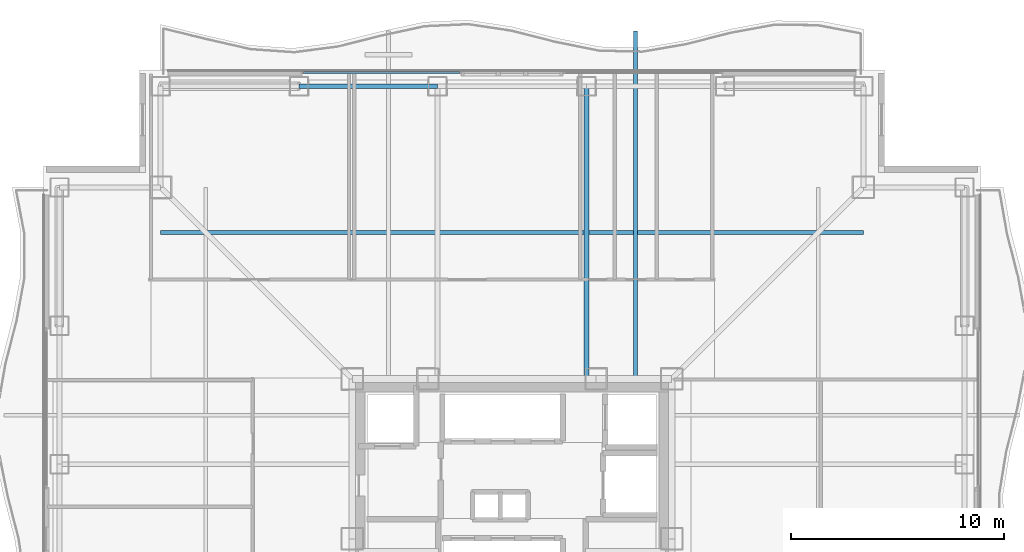
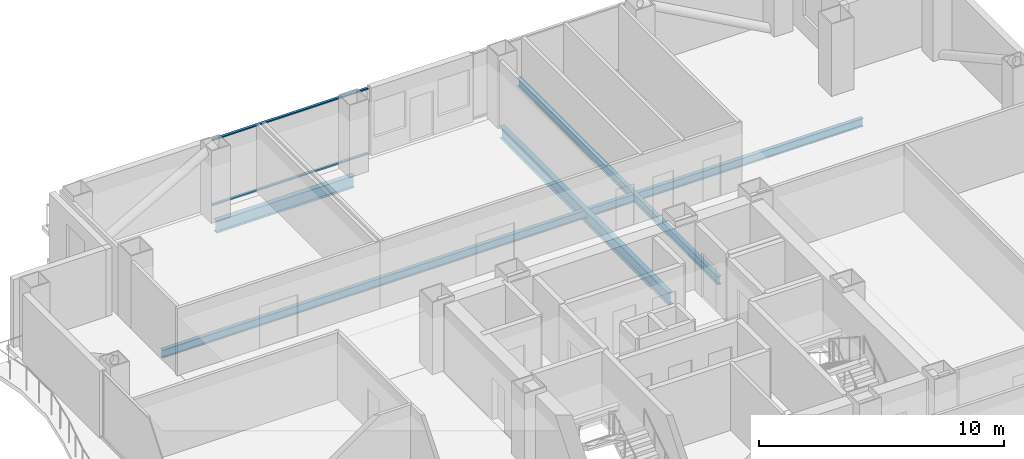
# One storey, part 9 of 18: 4 beams, 2 members, 1 element without a shape of its own.
"""IFC4 building model written with IfcOpenShell, lengths in metres."""

import ifcopenshell
import ifcopenshell.guid

model = None  # the IFC model being written
_history = None  # IfcOwnerHistory: only IFC2X3 demands one
_inside = {}  # id of a spatial element -> (the spatial element, [elements in it])
_under = {}  # id of a project, library or spatial element -> (it, [spatial elements below it])
_declared = {}  # id of a project -> (the project, [libraries it declares])
_typed = {}  # id of a type object -> (the type object, [elements of that type])
_made_of = {}  # id of a material, layer set ... -> (it, [elements and type objects made of it])


def new_model(schema):
    """Start an empty IFC model of exactly this schema.

    Asked for "IFC4X3", IfcOpenShell would pick the latest addendum, in which some entities
    have other attributes; the version numbers below select the first issue.
    IFC2X3 requires an IfcOwnerHistory on every rooted entity: one is made here for all.
    """
    global model, _history
    if schema == "IFC4X3":
        model = ifcopenshell.file(schema_version=(4, 3, 0, 0))
    else:
        model = ifcopenshell.file(schema=schema)
    _inside.clear()
    _under.clear()
    _declared.clear()
    _typed.clear()
    _made_of.clear()
    _history = None
    if model.schema == "IFC2X3":
        org = make("IfcOrganization", Name="unknown")
        user = make(
            "IfcPersonAndOrganization",
            ThePerson=make("IfcPerson", FamilyName="unknown"),
            TheOrganization=org,
        )
        app = make(
            "IfcApplication",
            ApplicationDeveloper=org,
            Version="unknown",
            ApplicationFullName="unknown",
            ApplicationIdentifier="unknown",
        )
        _history = make(
            "IfcOwnerHistory",
            OwningUser=user,
            OwningApplication=app,
            ChangeAction="ADDED",
            CreationDate=0,
        )
    return model


def make(cls, **values):
    """One entity of the class cls with the attributes given. An attribute that is None is left unset."""
    return model.create_entity(
        cls, **{name: value for name, value in values.items() if value is not None}
    )


def rooted(cls, **values):
    """An entity with a GlobalId (a new one), such as an element, a storey or a relation."""
    return make(cls, GlobalId=ifcopenshell.guid.new(), OwnerHistory=_history, **values)


def si_unit(unit_type, name, prefix=None):
    """IfcSIUnit, for example si_unit("LENGTHUNIT", "METRE", prefix="MILLI")."""
    return make("IfcSIUnit", UnitType=unit_type, Prefix=prefix, Name=name)


def assignment(units):
    """IfcUnitAssignment: the units of a project."""
    return None if units is None else make("IfcUnitAssignment", Units=units)


def point(xyz):
    """IfcCartesianPoint."""
    return None if xyz is None else make("IfcCartesianPoint", Coordinates=xyz)


def direction(xyz):
    """IfcDirection."""
    return None if xyz is None else make("IfcDirection", DirectionRatios=xyz)


def frame(location, z_axis=None, x_axis=None):
    """IfcAxis2Placement3D, a coordinate frame: its origin and axes. An axis left out is left unset."""
    return make(
        "IfcAxis2Placement3D",
        Location=point(location),
        Axis=direction(z_axis),
        RefDirection=direction(x_axis),
    )


def frame_2d(location, x_axis=None):
    """IfcAxis2Placement2D, a coordinate frame in the plane: its origin and x axis."""
    return make(
        "IfcAxis2Placement2D", Location=point(location), RefDirection=direction(x_axis)
    )


def origin():
    """The frame at (0, 0, 0) with its axes left unset."""
    return frame((0.0, 0.0, 0.0))


def origin_2d():
    """The frame at (0, 0) in the plane with its x axis left unset."""
    return frame_2d((0.0, 0.0))


def place(relative_to, where):
    """IfcLocalPlacement: puts the frame where relative to a parent placement (None: the world)."""
    return make(
        "IfcLocalPlacement", PlacementRelTo=relative_to, RelativePlacement=where
    )


def context(
    kind, dimensions, precision=None, world=None, true_north=None, identifier=None
):
    """IfcGeometricRepresentationContext, for example the 3D "Model" context."""
    return make(
        "IfcGeometricRepresentationContext",
        ContextIdentifier=identifier,
        ContextType=kind,
        CoordinateSpaceDimension=dimensions,
        Precision=precision,
        WorldCoordinateSystem=world,
        TrueNorth=true_north,
    )


def subcontext(parent, identifier, kind, view, scale=None):
    """IfcGeometricRepresentationSubContext, for example "Body" below "Model"."""
    return make(
        "IfcGeometricRepresentationSubContext",
        ContextIdentifier=identifier,
        ContextType=kind,
        ParentContext=parent,
        TargetScale=scale,
        TargetView=view,
    )


def project(units=None, contexts=None):
    """IfcProject with its units and contexts."""
    return rooted(
        "IfcProject",
        Name="project",
        RepresentationContexts=contexts,
        UnitsInContext=assignment(units),
    )


def spatial(cls, under=None, at=None, **own):
    """A site, building, storey or space (cls), placed at a placement, below another one or the project."""
    s = rooted(cls, ObjectPlacement=at, **own)
    if under is not None:
        _under.setdefault(under.id(), (under, []))[1].append(s)
    return s


def profile(cls, at=None, kind="AREA", **sizes):
    """A parametric profile (cls). Its sizes go by their IFC names, for example OverallWidth=200.0."""
    return make(cls, ProfileType=kind, Position=at, **sizes)


def rectangle(**sizes):
    """IfcRectangleProfileDef."""
    return profile("IfcRectangleProfileDef", **sizes)


def i_section(**sizes):
    """IfcIShapeProfileDef."""
    return profile("IfcIShapeProfileDef", **sizes)


def extrude(swept, where, along, depth):
    """IfcExtrudedAreaSolid: the profile swept, set in the frame where, extruded along a direction by depth."""
    return make(
        "IfcExtrudedAreaSolid",
        SweptArea=swept,
        Position=where,
        ExtrudedDirection=direction(along),
        Depth=depth,
    )


def shape(context_of_items, identifier, shape_type, items):
    """IfcShapeRepresentation: the items that make up one representation, for example the "Body"."""
    return make(
        "IfcShapeRepresentation",
        ContextOfItems=context_of_items,
        RepresentationIdentifier=identifier,
        RepresentationType=shape_type,
        Items=items,
    )


def material(Name=None, Category=None):
    """IfcMaterial."""
    return make("IfcMaterial", Name=Name, Category=Category)


def layer(
    of_material, thickness, ventilated=None, Name=None, Category=None, Priority=None
):
    """IfcMaterialLayer: one layer of a wall or slab, of a material (None: an air gap)."""
    return make(
        "IfcMaterialLayer",
        Material=of_material,
        LayerThickness=thickness,
        IsVentilated=ventilated,
        Name=Name,
        Category=Category,
        Priority=Priority,
    )


def layer_set(layers, Name=None):
    """IfcMaterialLayerSet."""
    return make("IfcMaterialLayerSet", MaterialLayers=layers, LayerSetName=Name)


def material_profile(
    of_material, cross_section, Name=None, Category=None, Priority=None
):
    """IfcMaterialProfile: a cross section and its material."""
    return make(
        "IfcMaterialProfile",
        Name=Name,
        Material=of_material,
        Profile=cross_section,
        Priority=Priority,
        Category=Category,
    )


def profile_set(profiles, Name=None, composite=None):
    """IfcMaterialProfileSet."""
    return make(
        "IfcMaterialProfileSet",
        Name=Name,
        MaterialProfiles=profiles,
        CompositeProfile=composite,
    )


def made_of(thing, what):
    """Note that an element or type object is made of a material, layer set ...; save() writes the relation."""
    if what is not None:
        _made_of.setdefault(what.id(), (what, []))[1].append(thing)
    return thing


def type_object(cls, material=None, **own):
    """A type object (cls), such as IfcWallType, which elements share."""
    return made_of(rooted(cls, **own), material)


def element(
    cls,
    number,
    at=None,
    inside=None,
    cuts=None,
    type_object=None,
    material=None,
    context=None,
    identifier="Body",
    shape_type=None,
    held_by="IfcProductDefinitionShape",
    body=None,
    shapes=None,
    **own,
):
    """One element of the class cls, such as IfcWall. Its Tag is "e" and its number.

    at: its placement. inside: the storey or other place that contains it. cuts: it is an
    opening in that element (IfcRelVoidsElement). A single representation is given by context,
    identifier, shape_type and body (its items); several are given by shapes. held_by: the class
    of the entity that holds the representations. save() writes the other relations.
    """
    e = rooted(cls, Tag="e%d" % number, ObjectPlacement=at, **own)
    if body is not None:
        shapes = [shape(context, identifier, shape_type, body)]
    if shapes is not None:
        e.Representation = make(held_by, Representations=shapes)
    if inside is not None:
        _inside.setdefault(inside.id(), (inside, []))[1].append(e)
    if cuts is not None:
        rooted(
            "IfcRelVoidsElement", RelatingBuildingElement=cuts, RelatedOpeningElement=e
        )
    if type_object is not None:
        _typed.setdefault(type_object.id(), (type_object, []))[1].append(e)
    return made_of(e, material)


def aggregate(whole, parts):
    """IfcRelAggregates: a whole, such as a stair, and the parts it consists of."""
    return rooted("IfcRelAggregates", RelatingObject=whole, RelatedObjects=parts)


def save(model, path):
    """Write the relations noted so far, then the file.

    IfcRelAggregates (storeys below a building ...), IfcRelContainedInSpatialStructure (elements
    in a storey), IfcRelDefinesByType, IfcRelAssociatesMaterial and IfcRelDeclares: one each for
    every whole, place, type object, material and project.
    """
    for whole, parts in _under.values():
        aggregate(whole, parts)
    for where, things in _inside.values():
        rooted(
            "IfcRelContainedInSpatialStructure",
            RelatedElements=things,
            RelatingStructure=where,
        )
    for kind, things in _typed.values():
        rooted("IfcRelDefinesByType", RelatedObjects=things, RelatingType=kind)
    for what, things in _made_of.values():
        rooted("IfcRelAssociatesMaterial", RelatedObjects=things, RelatingMaterial=what)
    for by, libraries in _declared.values():
        rooted("IfcRelDeclares", RelatingContext=by, RelatedDefinitions=libraries)
    model.write(path)


model = new_model("IFC4")

# Units and contexts
model_context = context("Model", 3, precision=1e-05, world=origin(), true_north=direction((0.0, 1.0)))
body_context = subcontext(model_context, "Body", "Model", "MODEL_VIEW")
ifc_project = project(units=[si_unit("LENGTHUNIT", "METRE"), si_unit("AREAUNIT", "SQUARE_METRE"), si_unit("VOLUMEUNIT", "CUBIC_METRE"), si_unit("PLANEANGLEUNIT", "RADIAN"), si_unit("MASSUNIT", "GRAM", prefix="KILO")], contexts=[model_context])

# Site, building, storey
site_placement = place(None, origin())
site = spatial("IfcSite", under=ifc_project, at=site_placement, CompositionType="ELEMENT")
building_placement = place(site_placement, origin())
building = spatial("IfcBuilding", under=site, at=building_placement, Name="Trevonay Congress Spire", CompositionType="ELEMENT")
storey_placement = place(building_placement, frame((0.0, 0.0, 122.800048828125)))
storey = spatial("IfcBuildingStorey", under=building, at=storey_placement, Name="L31", CompositionType="ELEMENT", Elevation=122.800048828125)

# Beams
ifc_material_1 = material(Name="Steel ASTM A572 Grade 50", Category="steel")
ifc_material_profile_1 = material_profile(ifc_material_1, i_section(OverallWidth=0.22998046875, OverallDepth=0.616943359375, WebThickness=0.01318359375, FlangeThickness=0.022216796875, FilletRadius=0.01611328125, at=origin_2d()), Name="W610x140")
ifc_profile_set_1 = profile_set([ifc_material_profile_1], Name="Steel ASTM A572 Grade 50")
beam_type_1 = type_object("IfcBeamType", Name="BM-GIRD-W610X140", PredefinedType="BEAM", material=ifc_profile_set_1)
beam_1_placement = place(storey_placement, frame((3.5, 7.5, -0.548583984375), z_axis=(0.0, 1.0, 0.0), x_axis=(-1.0, 0.0, 0.0)))
element("IfcBeam", 1, at=beam_1_placement, inside=storey, type_object=beam_type_1, Name="L31 structural beam BM-L31-GN-P", PredefinedType="BEAM", context=body_context, shape_type="SweptSolid", body=[
    extrude(i_section(OverallWidth=0.22998046875, OverallDepth=0.616943359375, WebThickness=0.01318359375, FlangeThickness=0.022216796875, FilletRadius=0.01611328125, at=origin_2d()), origin(), (0.0, 0.0, 1.0), 13.75),
])
ifc_material_profile_2 = material_profile(ifc_material_1, i_section(OverallWidth=0.22802734375, OverallDepth=0.60791015625, WebThickness=0.01123046875, FlangeThickness=0.017333984375, FilletRadius=0.01611328125, at=origin_2d()), Name="W610x113")
ifc_profile_set_2 = profile_set([ifc_material_profile_2], Name="Steel ASTM A572 Grade 50")
beam_type_2 = type_object("IfcBeamType", Name="BM-RING-W610X113", PredefinedType="BEAM", material=ifc_profile_set_2)
beam_2_placement = place(storey_placement, frame((-10.0, 21.25, -0.5439453125), z_axis=(1.0, 0.0, 0.0), x_axis=(0.0, 1.0, 0.0)))
element("IfcBeam", 2, at=beam_2_placement, inside=storey, type_object=beam_type_2, Name="L31 structural beam BM-L31-PN2", PredefinedType="BEAM", context=body_context, shape_type="SweptSolid", body=[
    extrude(i_section(OverallWidth=0.22802734375, OverallDepth=0.60791015625, WebThickness=0.01123046875, FlangeThickness=0.017333984375, FilletRadius=0.01611328125, at=origin_2d()), origin(), (0.0, 0.0, 1.0), 6.5),
])
ifc_material_profile_3 = material_profile(ifc_material_1, i_section(OverallWidth=0.180908203125, OverallDepth=0.4169921875, WebThickness=0.010986328125, FlangeThickness=0.018310546875, FilletRadius=0.012939453125, at=origin_2d()), Name="W410x85")
ifc_profile_set_3 = profile_set([ifc_material_profile_3], Name="Steel ASTM A572 Grade 50")
beam_type_3 = type_object("IfcBeamType", Name="BM-WAV-LOOKOUT", PredefinedType="BEAM", material=ifc_profile_set_3)
beam_3_placement = place(storey_placement, frame((5.800048828125, 7.5, -0.448486328125), z_axis=(0.0, 1.0, 0.0), x_axis=(-1.0, 0.0, 0.0)))
element("IfcBeam", 3, at=beam_3_placement, inside=storey, type_object=beam_type_3, Name="L31 structural beam WLK-L31-N2", PredefinedType="BEAM", context=body_context, shape_type="SweptSolid", body=[
    extrude(i_section(OverallWidth=0.180908203125, OverallDepth=0.4169921875, WebThickness=0.010986328125, FlangeThickness=0.018310546875, FilletRadius=0.012939453125, at=origin_2d()), origin(), (0.0, 0.0, 1.0), 16.35009765625),
])

# Curtain wall, members
ifc_material_2 = material(Name="Pale Anodised Aluminium EN AW-6063-T6", Category="aluminium")
ifc_layer = layer(ifc_material_2, 0.175048828125, Name="Pale Anodised Aluminium EN AW-6063-T6")
ifc_layer_set = layer_set([ifc_layer], Name="Pale Anodised Aluminium EN AW-6063-T6")
curtain_wall_type = type_object("IfcCurtainWallType", Name="CW-SYS03-CONGRESS-PALE-METAL", PredefinedType="NOTDEFINED", material=ifc_layer_set)
curtain_wall_placement = place(storey_placement, origin())
curtain_wall = element("IfcCurtainWall", 4, at=curtain_wall_placement, inside=storey, type_object=curtain_wall_type, Name="L31 NA unitised curtain wall", PredefinedType="NOTDEFINED")
ifc_material_profile_4 = material_profile(ifc_material_2, rectangle(XDim=0.1201171875, YDim=0.06005859375, at=origin_2d()), Name="CW-TRANSOM-120-ALUMINIUM")
ifc_profile_set_4 = profile_set([ifc_material_profile_4], Name="Pale Anodised Aluminium EN AW-6063-T6")
member_type = type_object("IfcMemberType", Name="CW-TRANSOM-120-ALUMINIUM", PredefinedType="USERDEFINED", material=ifc_profile_set_4)
member_1_placement = place(storey_placement, frame((-9.7900390625, 21.8798828125, 0.06005859375), z_axis=(1.0, 0.0, 0.0), x_axis=(0.0, 1.0, 0.0)))
member_1 = element("IfcMember", 5, at=member_1_placement, type_object=member_type, Name="CW03 transom 1.1", ObjectType="TRANSOM", PredefinedType="USERDEFINED", context=body_context, shape_type="SweptSolid", body=[
    extrude(rectangle(XDim=0.1201171875, YDim=0.06005859375, at=origin_2d()), origin(), (0.0, 0.0, 1.0), 7.330078125),
])
member_2_placement = place(storey_placement, frame((-9.7900390625, 21.8798828125, 3.300048828125), z_axis=(1.0, 0.0, 0.0), x_axis=(0.0, 1.0, 0.0)))
member_2 = element("IfcMember", 6, at=member_2_placement, type_object=member_type, Name="CW03 transom 1.2", ObjectType="TRANSOM", PredefinedType="USERDEFINED", context=body_context, shape_type="SweptSolid", body=[
    extrude(rectangle(XDim=0.1201171875, YDim=0.06005859375, at=origin_2d()), origin(), (0.0, 0.0, 1.0), 7.330078125),
])
aggregate(curtain_wall, [member_1, member_2])

# Beam
ifc_material_profile_5 = material_profile(ifc_material_1, i_section(OverallWidth=0.177978515625, OverallDepth=0.406982421875, WebThickness=0.0078125, FlangeThickness=0.0126953125, FilletRadius=0.012939453125, at=origin_2d()), Name="W410x60")
ifc_profile_set_5 = profile_set([ifc_material_profile_5], Name="Steel ASTM A572 Grade 50")
beam_type_4 = type_object("IfcBeamType", Name="JS-COMP-W410X60", PredefinedType="JOIST", material=ifc_profile_set_5)
beam_4_placement = place(storey_placement, frame((-16.5, 14.375, -0.443603515625), z_axis=(1.0, 0.0, 0.0), x_axis=(0.0, 1.0, 0.0)))
element("IfcBeam", 7, at=beam_4_placement, inside=storey, type_object=beam_type_4, Name="L31 structural beam JS-L31-RING-N", PredefinedType="JOIST", context=body_context, shape_type="SweptSolid", body=[
    extrude(i_section(OverallWidth=0.177978515625, OverallDepth=0.406982421875, WebThickness=0.0078125, FlangeThickness=0.0126953125, FilletRadius=0.012939453125, at=origin_2d()), origin(), (0.0, 0.0, 1.0), 33.0),
])

save(model, "model.ifc")
